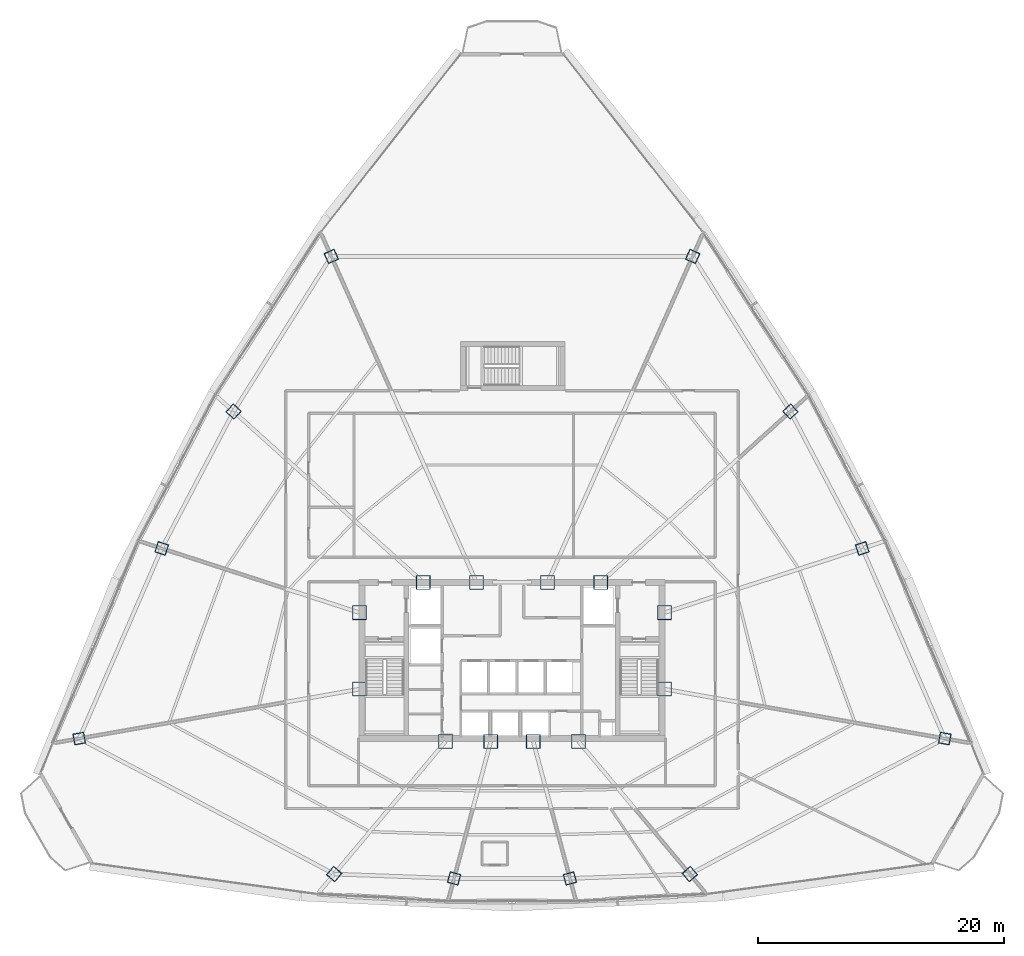
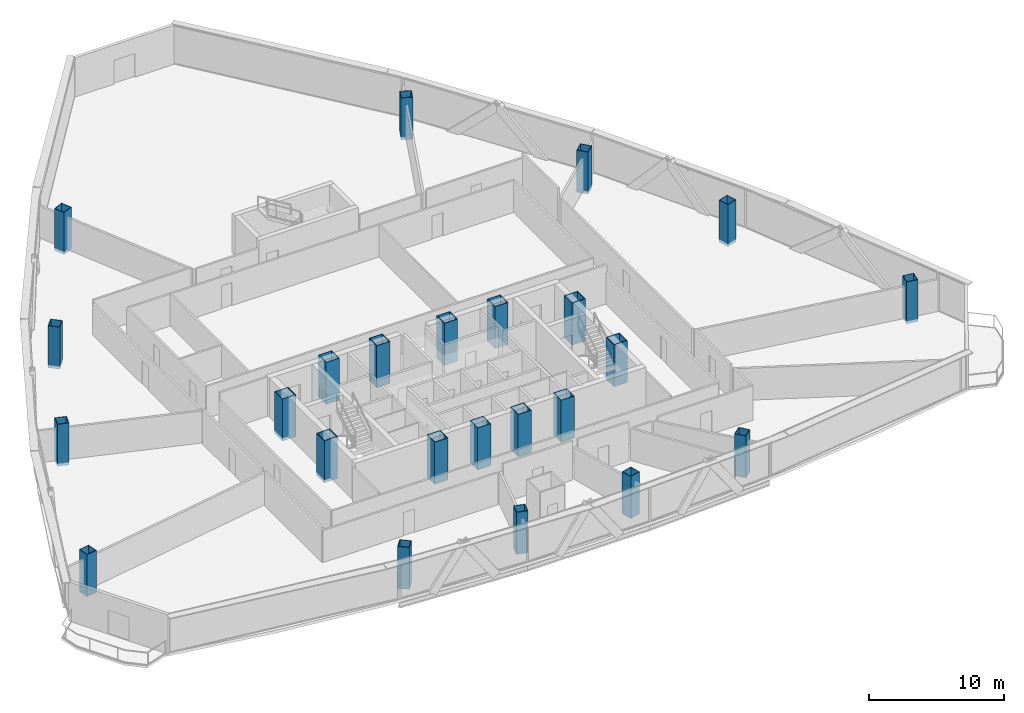
# One storey, part 1 of 37: 24 columns.
"""IFC4 building model written with IfcOpenShell, lengths in metres."""

from ifc_helpers import new_model, si_unit, direction, frame, origin, origin_2d, place, context, subcontext, project, spatial, hollow_rectangle, extrude, source, transform, mapped, material, material_profile, profile_set, type_object, element, save


model = new_model("IFC4")

# Units and contexts
model_context = context("Model", 3, precision=1e-05, world=origin(), true_north=direction((0.0, 1.0)))
body_context = subcontext(model_context, "Body", "Model", "MODEL_VIEW")
ifc_project = project(units=[si_unit("LENGTHUNIT", "METRE"), si_unit("AREAUNIT", "SQUARE_METRE"), si_unit("VOLUMEUNIT", "CUBIC_METRE"), si_unit("PLANEANGLEUNIT", "RADIAN"), si_unit("MASSUNIT", "GRAM", prefix="KILO"), si_unit("THERMODYNAMICTEMPERATUREUNIT", "KELVIN"), si_unit("POWERUNIT", "WATT")], contexts=[model_context])

# Site, building, storey
site_placement = place(None, origin())
site = spatial("IfcSite", under=ifc_project, at=site_placement, CompositionType="ELEMENT")
building_placement = place(site_placement, origin())
building = spatial("IfcBuilding", under=site, at=building_placement, Name="Yunzhuo Pagoda Commons", CompositionType="ELEMENT")
storey_placement = place(building_placement, frame((0.0, 0.0, 196.159912109375)))
storey = spatial("IfcBuildingStorey", under=building, at=storey_placement, Name="L49", CompositionType="ELEMENT", Elevation=196.159912109375)

# Columns
ifc_material = material(Name="Structural steel Q420B", Category="steel")
ifc_material_profile_1 = material_profile(ifc_material, hollow_rectangle(XDim=1.14990234375, YDim=1.14990234375, WallThickness=0.048095703125, at=origin_2d()), Name="Structural steel Q420B")
ifc_profile_set_1 = profile_set([ifc_material_profile_1], Name="Structural steel Q420B")
column_type_1 = type_object("IfcColumnType", Name="C-COR Column BOX 1150x1150x48", PredefinedType="COLUMN", material=ifc_profile_set_1)
shared_shape_1 = source(origin(), body_context, "Body", "SweptSolid", [
    extrude(hollow_rectangle(XDim=1.14990234375, YDim=1.14990234375, WallThickness=0.048095703125, at=origin_2d()), origin(), (0.0, 0.0, 1.0), 3.800048828125),
])
for number, where, z_axis, x_axis, name in (
    (1, (42.587890625, 27.25, -0.260009765625), (0.0, 0.0, 1.0), (1.0, 0.0, 0.0), "L49 core composite column F1C1"),
    (2, (46.27197265625, 27.25, -0.260009765625), (0.0, 0.0, 1.0), (1.0, 0.0, 0.0), "L49 core composite column F1C2"),
    (3, (49.728515625, 27.25, -0.260009765625), (0.0, 0.0, 1.0), (1.0, 0.0, 0.0), "L49 core composite column F1C3"),
    (4, (53.412109375, 27.25, -0.260009765625), (0.0, 0.0, 1.0), (1.0, 0.0, 0.0), "L49 core composite column F1C4"),
    (5, (60.39990234375, 31.513427734375, -0.260009765625), (0.0, 0.0, 1.0), (1.0, 0.0, 0.0), "L49 core composite column F2C1"),
    (6, (60.39990234375, 37.72900390625, -0.260009765625), (0.0, 0.0, 1.0), (1.0, 0.0, 0.0), "L49 core composite column F2C2"),
    (7, (55.218994140625, 40.199951171875, -0.260009765625), (0.0, 0.0, 1.0), (1.0, 0.0, 0.0), "L49 core composite column F2C3"),
    (8, (50.89404296875, 40.199951171875, -0.260009765625), (0.0, 0.0, 1.0), (1.0, 0.0, 0.0), "L49 core composite column F2C4"),
    (9, (45.10595703125, 40.199951171875, -0.260009765625), (0.0, 0.0, 1.0), (1.0, 0.0, 0.0), "L49 core composite column F3C1"),
    (10, (40.781005859375, 40.199951171875, -0.260009765625), (0.0, 0.0, 1.0), (1.0, 0.0, 0.0), "L49 core composite column F3C2"),
    (11, (35.60009765625, 37.72900390625, -0.260009765625), (0.0, 0.0, 1.0), (1.0, 0.0, 0.0), "L49 core composite column F3C3"),
    (12, (35.60009765625, 31.513427734375, -0.260009765625), (0.0, 0.0, 1.0), (1.0, 0.0, 0.0), "L49 core composite column F3C4"),
):
    element("IfcColumn", number, at=place(storey_placement, frame(where, z_axis=z_axis, x_axis=x_axis)), inside=storey, type_object=column_type_1, Name=name, PredefinedType="COLUMN", context=body_context, shape_type="MappedRepresentation", body=[
        mapped(shared_shape_1, transform((0.0, 0.0, 0.0), scale=1.0)),
    ])
ifc_material_profile_2 = material_profile(ifc_material, hollow_rectangle(XDim=0.89990234375, YDim=0.89990234375, WallThickness=0.035888671875, at=origin_2d()), Name="Structural steel Q420B")
ifc_profile_set_2 = profile_set([ifc_material_profile_2], Name="Structural steel Q420B")
column_type_2 = type_object("IfcColumnType", Name="C-Z4 Column BOX 900x900x36", PredefinedType="COLUMN", material=ifc_profile_set_2)
shared_shape_2 = source(origin(), body_context, "Body", "SweptSolid", [
    extrude(hollow_rectangle(XDim=0.89990234375, YDim=0.89990234375, WallThickness=0.035888671875, at=origin_2d()), origin(), (0.0, 0.0, 1.0), 3.800048828125),
])
for number, where, z_axis, x_axis, name in (
    (13, (33.538818359375, 16.4658203125, -0.260009765625), (0.0, 0.0, 1.0), (0.766044443119, -0.642787609687, 0.0), "L49 tower column F1C1"),
    (14, (43.28759765625, 16.1123046875, -0.260009765625), (0.0, 0.0, 1.0), (0.965925826289, -0.258819045103, 0.0), "L49 tower column F1C2"),
    (15, (52.712890625, 16.1123046875, -0.260009765625), (0.0, 0.0, 1.0), (0.965925826289, 0.258819045103, 0.0), "L49 tower column F1C3"),
    (16, (62.461181640625, 16.4658203125, -0.260009765625), (0.0, 0.0, 1.0), (0.766044443119, 0.642787609687, 0.0), "L49 tower column F1C4"),
    (17, (83.20654296875, 27.492431640625, -0.260009765625), (0.0, 0.0, 1.0), (0.173648177667, 0.984807753012, 0.0), "L49 tower column F2C1"),
    (18, (76.49462890625, 42.95849609375, -0.260009765625), (0.0, 0.0, 1.0), (-0.309016994375, 0.951056516295, 0.0), "L49 tower column F2C2"),
    (19, (70.650634765625, 54.0947265625, -0.260009765625), (0.0, 0.0, 1.0), (-0.669130606359, 0.743144825477, 0.0), "L49 tower column F2C3"),
    (20, (62.698974609375, 66.714599609375, -0.260009765625), (0.0, 0.0, 1.0), (-0.913545457643, 0.406736643076, 0.0), "L49 tower column F2C4"),
    (21, (33.301025390625, 66.714599609375, -0.260009765625), (0.0, 0.0, 1.0), (-0.913545457643, -0.406736643076, 0.0), "L49 tower column F3C1"),
    (22, (25.349365234375, 54.0947265625, -0.260009765625), (0.0, 0.0, 1.0), (-0.669130606359, -0.743144825477, 0.0), "L49 tower column F3C2"),
    (23, (19.50537109375, 42.95849609375, -0.260009765625), (0.0, 0.0, 1.0), (-0.309016994375, -0.951056516295, 0.0), "L49 tower column F3C3"),
    (24, (12.79345703125, 27.492431640625, -0.260009765625), (0.0, 0.0, 1.0), (0.173648177667, -0.984807753012, 0.0), "L49 tower column F3C4"),
):
    element("IfcColumn", number, at=place(storey_placement, frame(where, z_axis=z_axis, x_axis=x_axis)), inside=storey, type_object=column_type_2, Name=name, PredefinedType="COLUMN", context=body_context, shape_type="MappedRepresentation", body=[
        mapped(shared_shape_2, transform((0.0, 0.0, 0.0), scale=1.0)),
    ])

save(model, "model.ifc")
